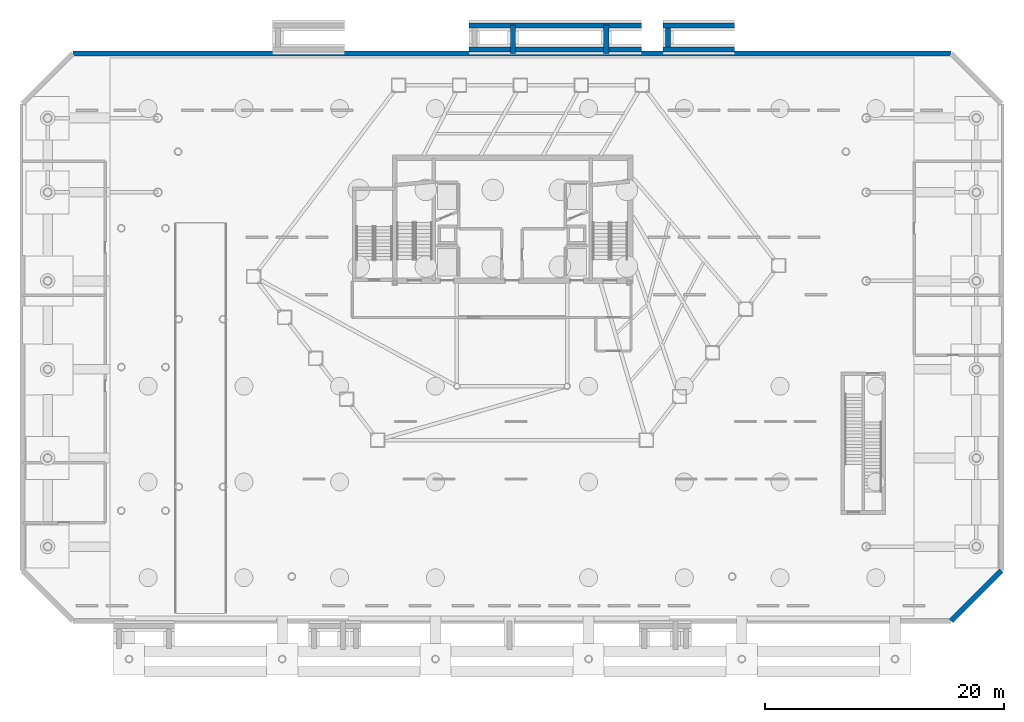
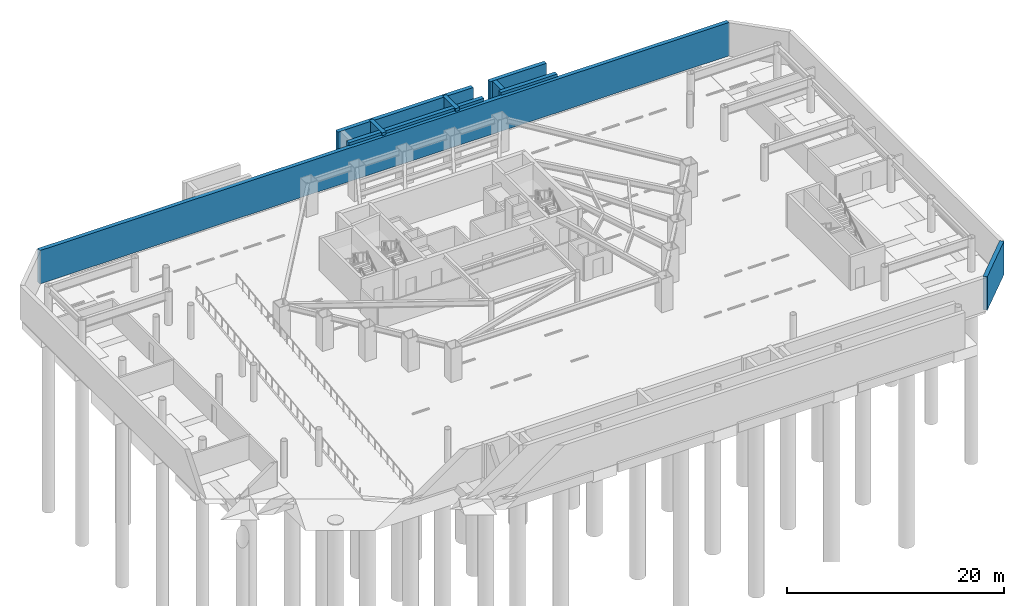
# One storey, part 13 of 19: 9 walls.
"""IFC4 building model written with IfcOpenShell, lengths in metres."""

from ifc_helpers import new_model, si_unit, direction, frame, frame_2d, origin, place, context, subcontext, project, spatial, rectangle, extrude, material, layer, layer_set, type_object, element, save


model = new_model("IFC4")

# Units and contexts
model_context = context("Model", 3, precision=1e-05, world=origin(), true_north=direction((0.0, 1.0)))
body_context = subcontext(model_context, "Body", "Model", "MODEL_VIEW")
ifc_project = project(units=[si_unit("LENGTHUNIT", "METRE"), si_unit("AREAUNIT", "SQUARE_METRE"), si_unit("VOLUMEUNIT", "CUBIC_METRE"), si_unit("PLANEANGLEUNIT", "RADIAN"), si_unit("MASSUNIT", "GRAM", prefix="KILO")], contexts=[model_context])

# Site, building, storey
site_placement = place(None, origin())
site = spatial("IfcSite", under=ifc_project, at=site_placement, CompositionType="ELEMENT")
building_placement = place(site_placement, origin())
building = spatial("IfcBuilding", under=site, at=building_placement, Name="Zarrinselat Tower", CompositionType="ELEMENT")
storey_placement = place(building_placement, frame((0.0, 0.0, -8.159912109375)))
storey = spatial("IfcBuildingStorey", under=building, at=storey_placement, Name="B02", CompositionType="ELEMENT", Elevation=-8.159912109375)

# Walls
ifc_material = material(Name="Concrete C50/60", Category="concrete")
ifc_layer = layer(ifc_material, 0.419921875)
ifc_layer_set = layer_set([ifc_layer], Name="Concrete C50/60")
wall_type = type_object("IfcWallType", Name="WAL-RET-420", PredefinedType="SOLIDWALL", material=ifc_layer_set)
for number, where, z_axis, x_axis, name in (
    (1, (51.0, 52.550048828125, 0.0), (0.0, 0.0, 1.0), (1.0, 0.0, 0.0), "B02 North Plaza NE Bearing Wall 52"),
    (2, (51.0, 54.550048828125, 0.0), (0.0, 0.0, 1.0), (1.0, 0.0, 0.0), "B02 North Plaza NE Bearing Wall 54"),
):
    element("IfcWall", number, at=place(storey_placement, frame(where, z_axis=z_axis, x_axis=x_axis)), inside=storey, type_object=wall_type, Name=name, PredefinedType="SOLIDWALL", context=body_context, shape_type="SweptSolid", body=[
        extrude(rectangle(XDim=6.0, YDim=0.419921875, at=frame_2d((3.0, 0.0))), origin(), (0.0, 0.0, 1.0), 4.079833984375),
    ])
wall_1_placement = place(storey_placement, frame((51.449951171875, 52.760009765625, 0.0), z_axis=(0.0, 0.0, 1.0), x_axis=(0.0, 1.0, 0.0)))
element("IfcWall", 3, at=wall_1_placement, inside=storey, type_object=wall_type, Name="B02 North Plaza NE Cross Bearing Wall", PredefinedType="SOLIDWALL", context=body_context, shape_type="SweptSolid", body=[
    extrude(rectangle(XDim=1.580078125, YDim=0.419921875, at=frame_2d((0.7900390625, 0.0))), origin(), (0.0, 0.0, 1.0), 4.079833984375),
])
for number, where, z_axis, x_axis, name in (
    (4, (34.800048828125, 52.550048828125, 0.0), (0.0, 0.0, 1.0), (1.0, 0.0, 0.0), "B02 North Plaza NC Bearing Wall 52"),
    (5, (34.800048828125, 54.550048828125, 0.0), (0.0, 0.0, 1.0), (1.0, 0.0, 0.0), "B02 North Plaza NC Bearing Wall 54"),
):
    element("IfcWall", number, at=place(storey_placement, frame(where, z_axis=z_axis, x_axis=x_axis)), inside=storey, type_object=wall_type, Name=name, PredefinedType="SOLIDWALL", context=body_context, shape_type="SweptSolid", body=[
        extrude(rectangle(XDim=14.39990234375, YDim=0.419921875, at=frame_2d((7.199951171875, 0.0))), origin(), (0.0, 0.0, 1.0), 4.079833984375),
    ])
for number, where, z_axis, x_axis, name in (
    (6, (38.47509765625, 52.199951171875, 0.0), (0.0, 0.0, 1.0), (0.0, 1.0, 0.0), "B02 Accessible Ramp 4 Bearing Wall"),
    (7, (46.27490234375, 52.199951171875, 0.0), (0.0, 0.0, 1.0), (0.0, 1.0, 0.0), "B02 Accessible Ramp 5 Bearing Wall"),
):
    element("IfcWall", number, at=place(storey_placement, frame(where, z_axis=z_axis, x_axis=x_axis)), inside=storey, type_object=wall_type, Name=name, PredefinedType="SOLIDWALL", context=body_context, shape_type="SweptSolid", body=[
        extrude(rectangle(XDim=2.400146484375, YDim=0.419921875, at=frame_2d((1.2001953125, 0.0))), origin(), (0.0, 0.0, 1.0), 4.079833984375),
    ])
wall_2_placement = place(storey_placement, frame((75.10009765625, 4.800048828125, 0.0), z_axis=(0.0, 0.0, 1.0), x_axis=(0.707106781187, 0.707106781187, 0.0)))
element("IfcWall", 8, at=wall_2_placement, inside=storey, type_object=wall_type, Name="B02 Basement Perimeter Retaining Wall 2", PredefinedType="SOLIDWALL", context=body_context, shape_type="SweptSolid", body=[
    extrude(rectangle(XDim=5.939697265625, YDim=0.419921875, at=frame_2d((2.9697265625, 0.0))), origin(), (0.0, 0.0, 1.0), 3.760009765625),
])
wall_3_placement = place(storey_placement, frame((1.699951171875, 52.199951171875, 0.0), z_axis=(0.0, 0.0, 1.0), x_axis=(1.0, 0.0, 0.0)))
element("IfcWall", 9, at=wall_3_placement, inside=storey, type_object=wall_type, Name="B02 Basement Perimeter Retaining Wall 5", PredefinedType="SOLIDWALL", context=body_context, shape_type="SweptSolid", body=[
    extrude(rectangle(XDim=73.400146484375, YDim=0.419921875, at=frame_2d((36.7001953125, 0.0))), origin(), (0.0, 0.0, 1.0), 3.760009765625),
])

save(model, "model.ifc")
